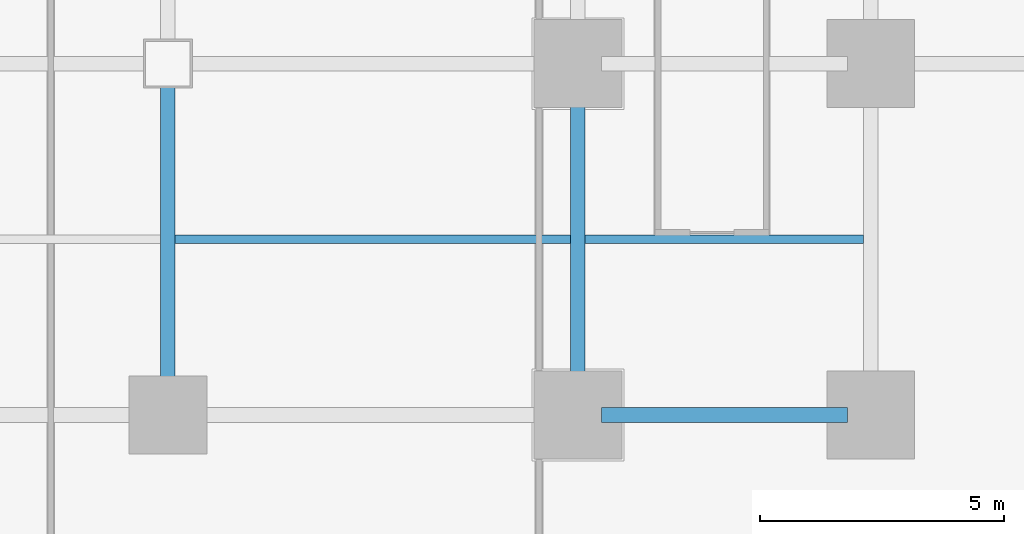
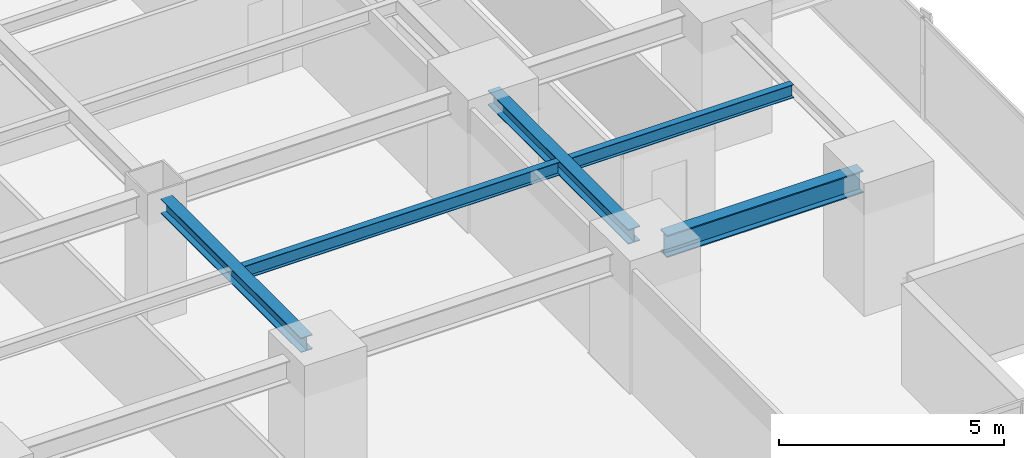
# One storey, part 12 of 33: 5 beams.
"""IFC4 building model written with IfcOpenShell, lengths in metres."""

import ifcopenshell
import ifcopenshell.guid

model = None  # the IFC model being written
_history = None  # IfcOwnerHistory: only IFC2X3 demands one
_inside = {}  # id of a spatial element -> (the spatial element, [elements in it])
_under = {}  # id of a project, library or spatial element -> (it, [spatial elements below it])
_declared = {}  # id of a project -> (the project, [libraries it declares])
_typed = {}  # id of a type object -> (the type object, [elements of that type])
_made_of = {}  # id of a material, layer set ... -> (it, [elements and type objects made of it])


def new_model(schema):
    """Start an empty IFC model of exactly this schema.

    Asked for "IFC4X3", IfcOpenShell would pick the latest addendum, in which some entities
    have other attributes; the version numbers below select the first issue.
    IFC2X3 requires an IfcOwnerHistory on every rooted entity: one is made here for all.
    """
    global model, _history
    if schema == "IFC4X3":
        model = ifcopenshell.file(schema_version=(4, 3, 0, 0))
    else:
        model = ifcopenshell.file(schema=schema)
    _inside.clear()
    _under.clear()
    _declared.clear()
    _typed.clear()
    _made_of.clear()
    _history = None
    if model.schema == "IFC2X3":
        org = make("IfcOrganization", Name="unknown")
        user = make(
            "IfcPersonAndOrganization",
            ThePerson=make("IfcPerson", FamilyName="unknown"),
            TheOrganization=org,
        )
        app = make(
            "IfcApplication",
            ApplicationDeveloper=org,
            Version="unknown",
            ApplicationFullName="unknown",
            ApplicationIdentifier="unknown",
        )
        _history = make(
            "IfcOwnerHistory",
            OwningUser=user,
            OwningApplication=app,
            ChangeAction="ADDED",
            CreationDate=0,
        )
    return model


def make(cls, **values):
    """One entity of the class cls with the attributes given. An attribute that is None is left unset."""
    return model.create_entity(
        cls, **{name: value for name, value in values.items() if value is not None}
    )


def rooted(cls, **values):
    """An entity with a GlobalId (a new one), such as an element, a storey or a relation."""
    return make(cls, GlobalId=ifcopenshell.guid.new(), OwnerHistory=_history, **values)


def si_unit(unit_type, name, prefix=None):
    """IfcSIUnit, for example si_unit("LENGTHUNIT", "METRE", prefix="MILLI")."""
    return make("IfcSIUnit", UnitType=unit_type, Prefix=prefix, Name=name)


def assignment(units):
    """IfcUnitAssignment: the units of a project."""
    return None if units is None else make("IfcUnitAssignment", Units=units)


def point(xyz):
    """IfcCartesianPoint."""
    return None if xyz is None else make("IfcCartesianPoint", Coordinates=xyz)


def direction(xyz):
    """IfcDirection."""
    return None if xyz is None else make("IfcDirection", DirectionRatios=xyz)


def frame(location, z_axis=None, x_axis=None):
    """IfcAxis2Placement3D, a coordinate frame: its origin and axes. An axis left out is left unset."""
    return make(
        "IfcAxis2Placement3D",
        Location=point(location),
        Axis=direction(z_axis),
        RefDirection=direction(x_axis),
    )


def frame_2d(location, x_axis=None):
    """IfcAxis2Placement2D, a coordinate frame in the plane: its origin and x axis."""
    return make(
        "IfcAxis2Placement2D", Location=point(location), RefDirection=direction(x_axis)
    )


def origin():
    """The frame at (0, 0, 0) with its axes left unset."""
    return frame((0.0, 0.0, 0.0))


def origin_2d():
    """The frame at (0, 0) in the plane with its x axis left unset."""
    return frame_2d((0.0, 0.0))


def place(relative_to, where):
    """IfcLocalPlacement: puts the frame where relative to a parent placement (None: the world)."""
    return make(
        "IfcLocalPlacement", PlacementRelTo=relative_to, RelativePlacement=where
    )


def context(
    kind, dimensions, precision=None, world=None, true_north=None, identifier=None
):
    """IfcGeometricRepresentationContext, for example the 3D "Model" context."""
    return make(
        "IfcGeometricRepresentationContext",
        ContextIdentifier=identifier,
        ContextType=kind,
        CoordinateSpaceDimension=dimensions,
        Precision=precision,
        WorldCoordinateSystem=world,
        TrueNorth=true_north,
    )


def subcontext(parent, identifier, kind, view, scale=None):
    """IfcGeometricRepresentationSubContext, for example "Body" below "Model"."""
    return make(
        "IfcGeometricRepresentationSubContext",
        ContextIdentifier=identifier,
        ContextType=kind,
        ParentContext=parent,
        TargetScale=scale,
        TargetView=view,
    )


def project(units=None, contexts=None):
    """IfcProject with its units and contexts."""
    return rooted(
        "IfcProject",
        Name="project",
        RepresentationContexts=contexts,
        UnitsInContext=assignment(units),
    )


def spatial(cls, under=None, at=None, **own):
    """A site, building, storey or space (cls), placed at a placement, below another one or the project."""
    s = rooted(cls, ObjectPlacement=at, **own)
    if under is not None:
        _under.setdefault(under.id(), (under, []))[1].append(s)
    return s


def profile(cls, at=None, kind="AREA", **sizes):
    """A parametric profile (cls). Its sizes go by their IFC names, for example OverallWidth=200.0."""
    return make(cls, ProfileType=kind, Position=at, **sizes)


def i_section(**sizes):
    """IfcIShapeProfileDef."""
    return profile("IfcIShapeProfileDef", **sizes)


def extrude(swept, where, along, depth):
    """IfcExtrudedAreaSolid: the profile swept, set in the frame where, extruded along a direction by depth."""
    return make(
        "IfcExtrudedAreaSolid",
        SweptArea=swept,
        Position=where,
        ExtrudedDirection=direction(along),
        Depth=depth,
    )


def shape(context_of_items, identifier, shape_type, items):
    """IfcShapeRepresentation: the items that make up one representation, for example the "Body"."""
    return make(
        "IfcShapeRepresentation",
        ContextOfItems=context_of_items,
        RepresentationIdentifier=identifier,
        RepresentationType=shape_type,
        Items=items,
    )


def source(mapping_origin, context_of_items, identifier, shape_type, items):
    """IfcRepresentationMap: a shape defined once, which mapped items show again and again."""
    return make(
        "IfcRepresentationMap",
        MappingOrigin=mapping_origin,
        MappedRepresentation=shape(context_of_items, identifier, shape_type, items),
    )


def transform(
    local_origin,
    x_axis=None,
    y_axis=None,
    z_axis=None,
    scale=None,
    scale2=None,
    scale3=None,
    uniform=True,
):
    """IfcCartesianTransformationOperator3D, or its non-uniform kind. x_axis, y_axis, z_axis: its Axis1, 2, 3."""
    if uniform:
        return make(
            "IfcCartesianTransformationOperator3D",
            Axis1=direction(x_axis),
            Axis2=direction(y_axis),
            LocalOrigin=point(local_origin),
            Scale=scale,
            Axis3=direction(z_axis),
        )
    return make(
        "IfcCartesianTransformationOperator3DnonUniform",
        Axis1=direction(x_axis),
        Axis2=direction(y_axis),
        LocalOrigin=point(local_origin),
        Scale=scale,
        Axis3=direction(z_axis),
        Scale2=scale2,
        Scale3=scale3,
    )


def mapped(mapping_source, mapping_target):
    """IfcMappedItem: shows the shape of a source again, moved by a transform."""
    return make(
        "IfcMappedItem", MappingSource=mapping_source, MappingTarget=mapping_target
    )


def material(Name=None, Category=None):
    """IfcMaterial."""
    return make("IfcMaterial", Name=Name, Category=Category)


def material_profile(
    of_material, cross_section, Name=None, Category=None, Priority=None
):
    """IfcMaterialProfile: a cross section and its material."""
    return make(
        "IfcMaterialProfile",
        Name=Name,
        Material=of_material,
        Profile=cross_section,
        Priority=Priority,
        Category=Category,
    )


def profile_set(profiles, Name=None, composite=None):
    """IfcMaterialProfileSet."""
    return make(
        "IfcMaterialProfileSet",
        Name=Name,
        MaterialProfiles=profiles,
        CompositeProfile=composite,
    )


def made_of(thing, what):
    """Note that an element or type object is made of a material, layer set ...; save() writes the relation."""
    if what is not None:
        _made_of.setdefault(what.id(), (what, []))[1].append(thing)
    return thing


def type_object(cls, material=None, **own):
    """A type object (cls), such as IfcWallType, which elements share."""
    return made_of(rooted(cls, **own), material)


def element(
    cls,
    number,
    at=None,
    inside=None,
    cuts=None,
    type_object=None,
    material=None,
    context=None,
    identifier="Body",
    shape_type=None,
    held_by="IfcProductDefinitionShape",
    body=None,
    shapes=None,
    **own,
):
    """One element of the class cls, such as IfcWall. Its Tag is "e" and its number.

    at: its placement. inside: the storey or other place that contains it. cuts: it is an
    opening in that element (IfcRelVoidsElement). A single representation is given by context,
    identifier, shape_type and body (its items); several are given by shapes. held_by: the class
    of the entity that holds the representations. save() writes the other relations.
    """
    e = rooted(cls, Tag="e%d" % number, ObjectPlacement=at, **own)
    if body is not None:
        shapes = [shape(context, identifier, shape_type, body)]
    if shapes is not None:
        e.Representation = make(held_by, Representations=shapes)
    if inside is not None:
        _inside.setdefault(inside.id(), (inside, []))[1].append(e)
    if cuts is not None:
        rooted(
            "IfcRelVoidsElement", RelatingBuildingElement=cuts, RelatedOpeningElement=e
        )
    if type_object is not None:
        _typed.setdefault(type_object.id(), (type_object, []))[1].append(e)
    return made_of(e, material)


def aggregate(whole, parts):
    """IfcRelAggregates: a whole, such as a stair, and the parts it consists of."""
    return rooted("IfcRelAggregates", RelatingObject=whole, RelatedObjects=parts)


def save(model, path):
    """Write the relations noted so far, then the file.

    IfcRelAggregates (storeys below a building ...), IfcRelContainedInSpatialStructure (elements
    in a storey), IfcRelDefinesByType, IfcRelAssociatesMaterial and IfcRelDeclares: one each for
    every whole, place, type object, material and project.
    """
    for whole, parts in _under.values():
        aggregate(whole, parts)
    for where, things in _inside.values():
        rooted(
            "IfcRelContainedInSpatialStructure",
            RelatedElements=things,
            RelatingStructure=where,
        )
    for kind, things in _typed.values():
        rooted("IfcRelDefinesByType", RelatedObjects=things, RelatingType=kind)
    for what, things in _made_of.values():
        rooted("IfcRelAssociatesMaterial", RelatedObjects=things, RelatingMaterial=what)
    for by, libraries in _declared.values():
        rooted("IfcRelDeclares", RelatingContext=by, RelatedDefinitions=libraries)
    model.write(path)


model = new_model("IFC4")

# Units and contexts
model_context = context("Model", 3, precision=1e-05, world=origin(), true_north=direction((0.0, 1.0)))
body_context = subcontext(model_context, "Body", "Model", "MODEL_VIEW")
ifc_project = project(units=[si_unit("LENGTHUNIT", "METRE"), si_unit("AREAUNIT", "SQUARE_METRE"), si_unit("VOLUMEUNIT", "CUBIC_METRE"), si_unit("PLANEANGLEUNIT", "RADIAN"), si_unit("MASSUNIT", "GRAM", prefix="KILO")], contexts=[model_context])

# Site, building, storey
site_placement = place(None, origin())
site = spatial("IfcSite", under=ifc_project, at=site_placement, CompositionType="ELEMENT")
building_placement = place(site_placement, origin())
building = spatial("IfcBuilding", under=site, at=building_placement, Name="Sumidabori Civic Tower", CompositionType="ELEMENT")
storey_placement = place(building_placement, frame((0.0, 0.0, 30.800048828125)))
storey = spatial("IfcBuildingStorey", under=building, at=storey_placement, Name="L07", CompositionType="ELEMENT", Elevation=30.800048828125)

# Beams
ifc_material = material(Name="Steel SN490", Category="steel")
ifc_material_profile_1 = material_profile(ifc_material, i_section(OverallWidth=0.300048828125, OverallDepth=0.60009765625, WebThickness=0.015380859375, FlangeThickness=0.030029296875, at=origin_2d()), Name="HE 600 B")
ifc_profile_set_1 = profile_set([ifc_material_profile_1], Name="Steel SN490")
beam_type_1 = type_object("IfcBeamType", Name="BM-GIRD-600", PredefinedType="BEAM", material=ifc_profile_set_1)
shared_shape_1 = source(origin(), body_context, "Body", "SweptSolid", [
    extrude(i_section(OverallWidth=0.300048828125, OverallDepth=0.60009765625, WebThickness=0.015380859375, FlangeThickness=0.030029296875, at=origin_2d()), origin(), (0.0, 0.0, 1.0), 5.0400390625),
])
beam_1_placement = place(storey_placement, frame((17.280029296875, -18.0, 3.06005859375), z_axis=(1.0, 0.0, 0.0), x_axis=(0.0, 1.0, 0.0)))
element("IfcBeam", 1, at=beam_1_placement, inside=storey, type_object=beam_type_1, Name="Primary Girder L07 GX-06", PredefinedType="BEAM", context=body_context, shape_type="MappedRepresentation", body=[
    mapped(shared_shape_1, transform((0.0, 0.0, 0.0), x_axis=(1.0, 0.0, 0.0), y_axis=(0.0, 1.0, 0.0), z_axis=(0.0, 0.0, 1.0), scale=1.0)),
])
ifc_material_profile_2 = material_profile(ifc_material, i_section(OverallWidth=0.300048828125, OverallDepth=0.39990234375, WebThickness=0.013427734375, FlangeThickness=0.02392578125, at=origin_2d()), Name="HE 400 B")
ifc_profile_set_2 = profile_set([ifc_material_profile_2], Name="Steel SN490")
beam_type_2 = type_object("IfcBeamType", Name="BM-GIRD-400", PredefinedType="BEAM", material=ifc_profile_set_2)
shared_shape_2 = source(origin(), body_context, "Body", "SweptSolid", [
    extrude(i_section(OverallWidth=0.300048828125, OverallDepth=0.39990234375, WebThickness=0.013427734375, FlangeThickness=0.02392578125, at=origin_2d()), origin(), (0.0, 0.0, 1.0), 6.239990234375),
])
for number, where, z_axis, x_axis, name in (
    (2, (8.39990234375, -17.52001953125, 3.159912109375), (0.0, 1.0, 0.0), (-1.0, 0.0, 0.0), "Primary Girder L07 GY-33"),
    (3, (16.800048828125, -17.52001953125, 3.159912109375), (0.0, 1.0, 0.0), (-1.0, 0.0, 0.0), "Primary Girder L07 GY-35"),
):
    element("IfcBeam", number, at=place(storey_placement, frame(where, z_axis=z_axis, x_axis=x_axis)), inside=storey, type_object=beam_type_2, Name=name, PredefinedType="BEAM", context=body_context, shape_type="MappedRepresentation", body=[
        mapped(shared_shape_2, transform((0.0, 0.0, 0.0), x_axis=(1.0, 0.0, 0.0), y_axis=(0.0, 1.0, 0.0), z_axis=(0.0, 0.0, 1.0), scale=1.0)),
    ])
ifc_material_profile_3 = material_profile(ifc_material, i_section(OverallWidth=0.169921875, OverallDepth=0.360107421875, WebThickness=0.008056640625, FlangeThickness=0.0126953125, at=origin_2d()), Name="IPE 360")
ifc_profile_set_3 = profile_set([ifc_material_profile_3], Name="Steel SN490")
beam_type_3 = type_object("IfcBeamType", Name="BM-JST-360", PredefinedType="JOIST", material=ifc_profile_set_3)
shared_shape_3 = source(origin(), body_context, "Body", "SweptSolid", [
    extrude(i_section(OverallWidth=0.169921875, OverallDepth=0.360107421875, WebThickness=0.008056640625, FlangeThickness=0.0126953125, at=origin_2d()), origin(), (0.0, 0.0, 1.0), 5.699951171875),
])
beam_2_placement = place(storey_placement, frame((16.949951171875, -14.39990234375, 3.179931640625), z_axis=(1.0, 0.0, 0.0), x_axis=(0.0, 1.0, 0.0)))
element("IfcBeam", 4, at=beam_2_placement, inside=storey, type_object=beam_type_3, Name="Outer Bay Floor Joist L07 JSTO-58", PredefinedType="JOIST", context=body_context, shape_type="MappedRepresentation", body=[
    mapped(shared_shape_3, transform((0.0, 0.0, 0.0), x_axis=(1.0, 0.0, 0.0), y_axis=(0.0, 1.0, 0.0), z_axis=(0.0, 0.0, 1.0), scale=1.0)),
])
shared_shape_4 = source(origin(), body_context, "Body", "SweptSolid", [
    extrude(i_section(OverallWidth=0.169921875, OverallDepth=0.360107421875, WebThickness=0.008056640625, FlangeThickness=0.0126953125, at=origin_2d()), origin(), (0.0, 0.0, 1.0), 8.099853515625),
])
beam_3_placement = place(storey_placement, frame((8.550048828125, -14.39990234375, 3.179931640625), z_axis=(1.0, 0.0, 0.0), x_axis=(0.0, 1.0, 0.0)))
element("IfcBeam", 5, at=beam_3_placement, inside=storey, type_object=beam_type_3, Name="South Bay Floor Joist L07 JSTS-64", PredefinedType="JOIST", context=body_context, shape_type="MappedRepresentation", body=[
    mapped(shared_shape_4, transform((0.0, 0.0, 0.0), x_axis=(1.0, 0.0, 0.0), y_axis=(0.0, 1.0, 0.0), z_axis=(0.0, 0.0, 1.0), scale=1.0)),
])

save(model, "model.ifc")
